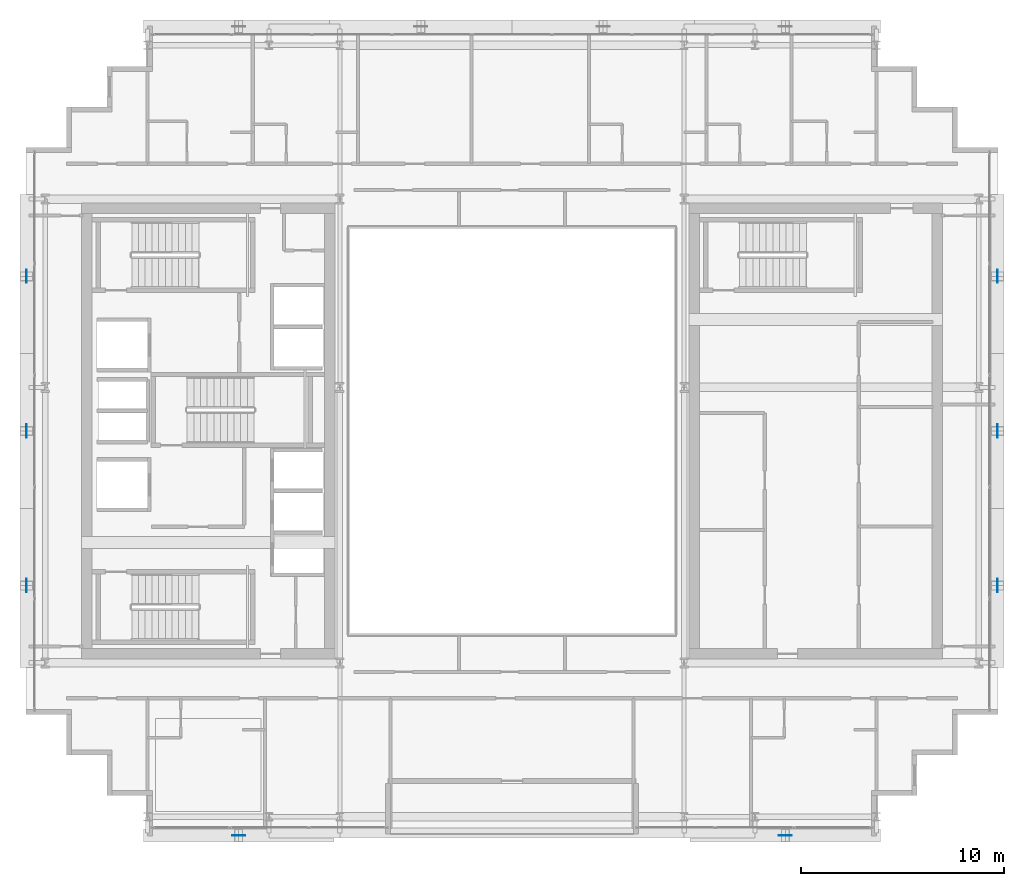
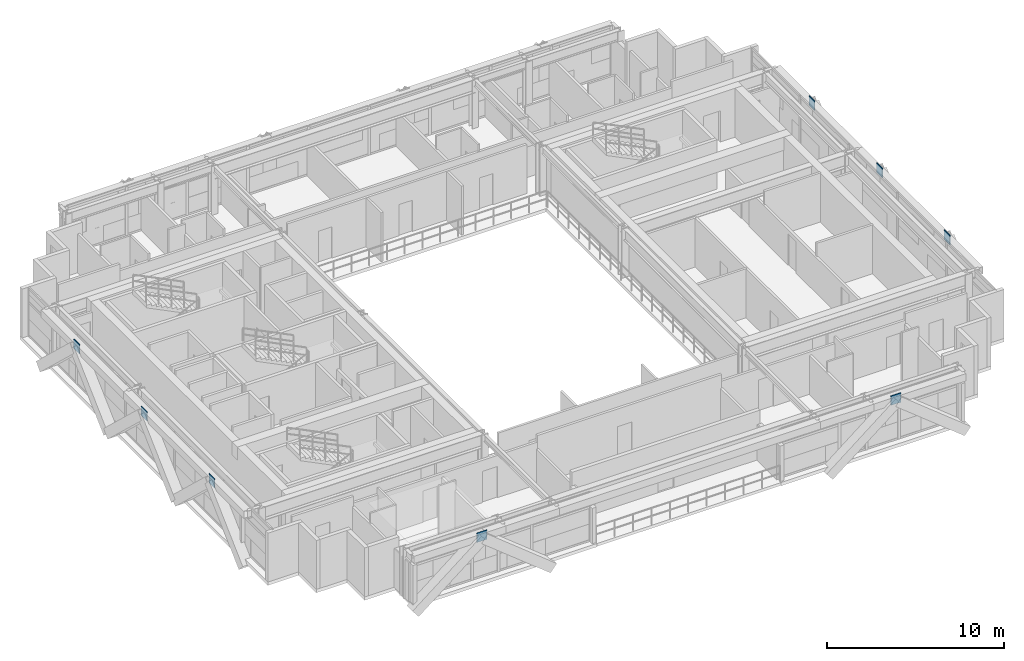
# One storey, part 22 of 31: 8 plates.
"""IFC4 building model written with IfcOpenShell, lengths in metres."""

from ifc_helpers import new_model, si_unit, direction, frame, origin, origin_2d, place, context, subcontext, project, spatial, rectangle, extrude, source, transform, mapped, material, layer, layer_set, type_object, element, save


model = new_model("IFC4")

# Units and contexts
model_context = context("Model", 3, precision=1e-05, world=origin(), true_north=direction((0.0, 1.0)))
body_context = subcontext(model_context, "Body", "Model", "MODEL_VIEW")
ifc_project = project(units=[si_unit("LENGTHUNIT", "METRE"), si_unit("AREAUNIT", "SQUARE_METRE"), si_unit("VOLUMEUNIT", "CUBIC_METRE"), si_unit("PLANEANGLEUNIT", "RADIAN"), si_unit("MASSUNIT", "GRAM", prefix="KILO")], contexts=[model_context])

# Site, building, storey
site_placement = place(None, origin())
site = spatial("IfcSite", under=ifc_project, at=site_placement, CompositionType="ELEMENT")
building_placement = place(site_placement, origin())
building = spatial("IfcBuilding", under=site, at=building_placement, Name="Ocotamira Hotel", CompositionType="ELEMENT")
storey_placement = place(building_placement, frame((0.0, 0.0, 188.39990234375)))
storey = spatial("IfcBuildingStorey", under=building, at=storey_placement, Name="L47", CompositionType="ELEMENT", Elevation=188.39990234375)

# Plates
ifc_material = material(Name="Pale-metal coated steel ASTM A572 Grade 50", Category="steel")
ifc_layer = layer(ifc_material, 0.0400390625)
ifc_layer_set = layer_set([ifc_layer], Name="Pale-metal coated steel ASTM A572 Grade 50")
plate_type = type_object("IfcPlateType", Name="PLT-GUSSET-40", PredefinedType="SHEET", material=ifc_layer_set)
shared_shape_1 = source(origin(), body_context, "Body", "SweptSolid", [
    extrude(rectangle(XDim=0.64990234375, YDim=0.0400390625, at=origin_2d()), origin(), (0.0, 0.0, 1.0), 0.64990234375),
])
for number, where, z_axis, x_axis, name in (
    (1, (18.5, 6.030029296875, 2.795166015625), (0.0, 0.0, 1.0), (1.0, 0.0, 0.0), "L47 Exoskeleton Diagrid S0.1 End Gusset B"),
    (2, (45.5, 6.030029296875, 2.795166015625), (0.0, 0.0, 1.0), (1.0, 0.0, 0.0), "L47 Exoskeleton Diagrid S3.1 End Gusset B"),
):
    element("IfcPlate", number, at=place(storey_placement, frame(where, z_axis=z_axis, x_axis=x_axis)), inside=storey, type_object=plate_type, Name=name, PredefinedType="SHEET", context=body_context, shape_type="MappedRepresentation", body=[
        mapped(shared_shape_1, transform((0.0, 0.0, 0.0), scale=1.0)),
    ])
shared_shape_2 = source(origin(), body_context, "Body", "SweptSolid", [
    extrude(rectangle(XDim=0.0400390625, YDim=0.64990234375, at=origin_2d()), origin(), (0.0, 0.0, 1.0), 0.64990234375),
])
for number, where, z_axis, x_axis, name in (
    (3, (8.030029296875, 18.36669921875, 2.795166015625), (0.0, 0.0, 1.0), (1.0, 0.0, 0.0), "L47 Exoskeleton Diagrid W0.1 End Gusset B"),
    (4, (8.030029296875, 26.0, 2.795166015625), (0.0, 0.0, 1.0), (1.0, 0.0, 0.0), "L47 Exoskeleton Diagrid W1.1 End Gusset B"),
    (5, (8.030029296875, 33.63330078125, 2.795166015625), (0.0, 0.0, 1.0), (1.0, 0.0, 0.0), "L47 Exoskeleton Diagrid W2.1 End Gusset B"),
    (6, (55.969970703125, 18.36669921875, 2.795166015625), (0.0, 0.0, 1.0), (1.0, 0.0, 0.0), "L47 Exoskeleton Diagrid E0.1 End Gusset B"),
    (7, (55.969970703125, 26.0, 2.795166015625), (0.0, 0.0, 1.0), (1.0, 0.0, 0.0), "L47 Exoskeleton Diagrid E1.1 End Gusset B"),
    (8, (55.969970703125, 33.63330078125, 2.795166015625), (0.0, 0.0, 1.0), (1.0, 0.0, 0.0), "L47 Exoskeleton Diagrid E2.1 End Gusset B"),
):
    element("IfcPlate", number, at=place(storey_placement, frame(where, z_axis=z_axis, x_axis=x_axis)), inside=storey, type_object=plate_type, Name=name, PredefinedType="SHEET", context=body_context, shape_type="MappedRepresentation", body=[
        mapped(shared_shape_2, transform((0.0, 0.0, 0.0), scale=1.0)),
    ])

save(model, "model.ifc")
